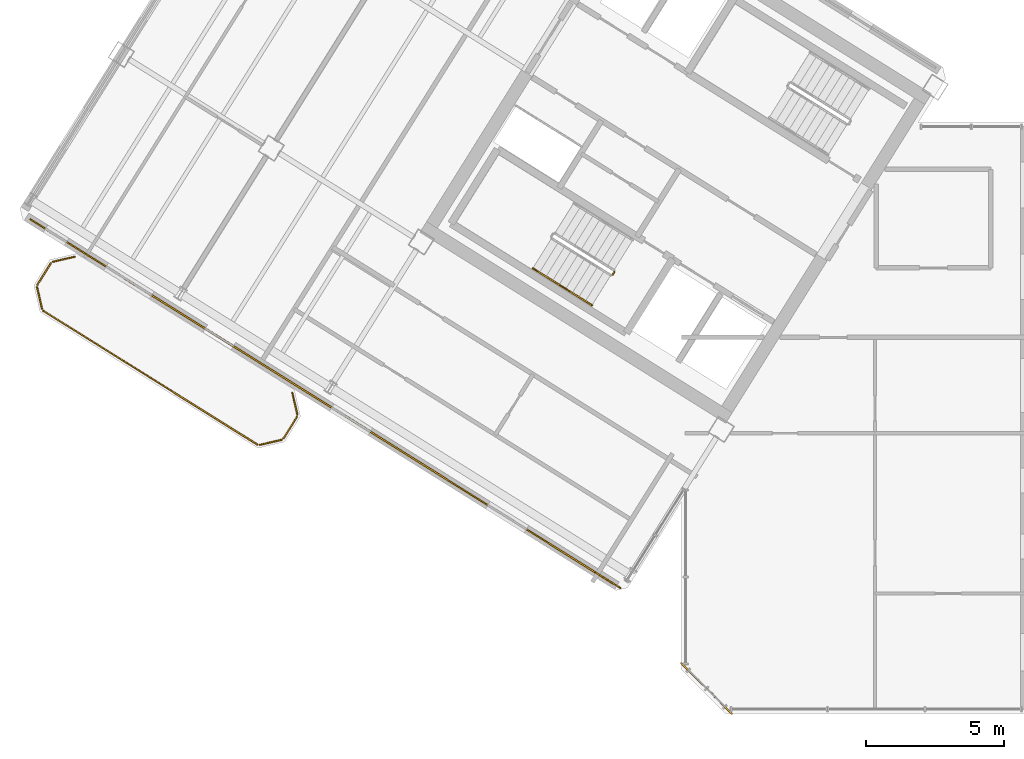
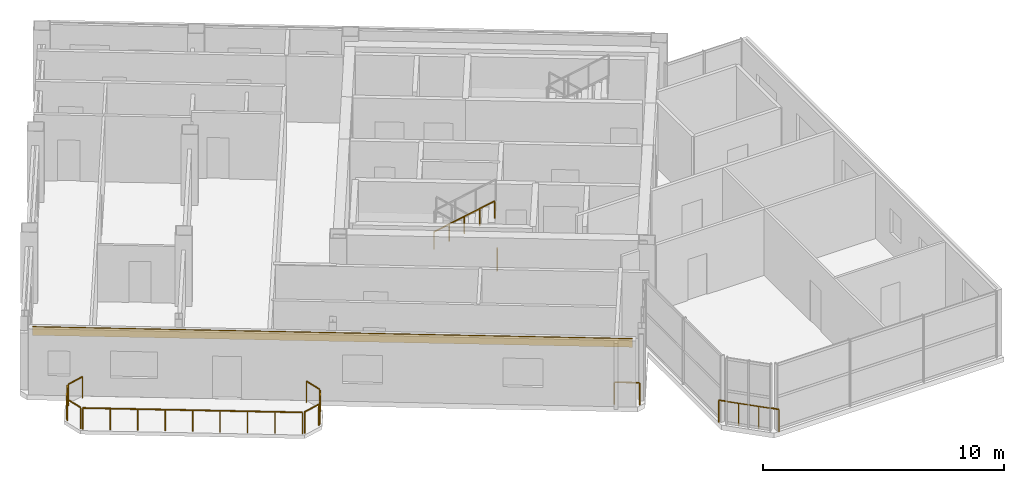
# One storey, part 11 of 14: 12 railings, 1 covering.
"""IFC4 building model written with IfcOpenShell, lengths in metres."""

from ifc_helpers import new_model, si_unit, direction, frame, origin, origin_2d, place, context, subcontext, project, spatial, rectangle, extrude, source, transform, mapped, material, layer, layer_set, type_object, element, save


model = new_model("IFC4")

# Units and contexts
model_context = context("Model", 3, precision=1e-05, world=origin(), true_north=direction((0.0, 1.0)))
body_context = subcontext(model_context, "Body", "Model", "MODEL_VIEW")
ifc_project = project(units=[si_unit("LENGTHUNIT", "METRE"), si_unit("AREAUNIT", "SQUARE_METRE"), si_unit("VOLUMEUNIT", "CUBIC_METRE"), si_unit("PLANEANGLEUNIT", "RADIAN"), si_unit("MASSUNIT", "GRAM", prefix="KILO")], contexts=[model_context])

# Site, building, storey
site_placement = place(None, origin())
site = spatial("IfcSite", under=ifc_project, at=site_placement, CompositionType="ELEMENT")
building_placement = place(site_placement, origin())
building = spatial("IfcBuilding", under=site, at=building_placement, Name="Tlacorven Tower", CompositionType="ELEMENT")
storey_placement = place(building_placement, frame((0.0, 0.0, 284.39990234375)))
storey = spatial("IfcBuildingStorey", under=building, at=storey_placement, Name="L72", CompositionType="ELEMENT", Elevation=284.39990234375)

# Railings
ifc_material_1 = material(Name="Aluminium and painted steel balustrade", Category="steel")
railing_type_1 = type_object("IfcRailingType", Name="RL-BAL-1100", PredefinedType="BALUSTRADE", material=ifc_material_1)
shared_shape_1 = source(origin(), body_context, "Body", "SweptSolid", [
    extrude(rectangle(XDim=0.048095703125, YDim=0.048095703125, at=origin_2d()), frame((0.0, 0.0, 1.076171875), z_axis=(0.225058334816, -0.974345290916, 0.0), x_axis=(0.974345290916, 0.225058334816, 0.0)), (0.0, 0.0, 1.0), 0.80712890625),
    extrude(rectangle(XDim=0.0419921875, YDim=0.0419921875, at=origin_2d()), origin(), (0.0, 0.0, 1.0), 1.052001953125),
    extrude(rectangle(XDim=0.0419921875, YDim=0.0419921875, at=origin_2d()), frame((0.181640625, -0.786376953125, 0.0)), (0.0, 0.0, 1.0), 1.052001953125),
])
railing_1_placement = place(storey_placement, frame((17.5244140625, 13.413330078125, 0.0)))
element("IfcRailing", 1, at=railing_1_placement, inside=storey, type_object=railing_type_1, Name="BAL-L72-W-OUT Guard Railing 1", PredefinedType="BALUSTRADE", context=body_context, shape_type="MappedRepresentation", body=[
    mapped(shared_shape_1, transform((0.0, 0.0, 0.0), scale=1.0)),
])
shared_shape_2 = source(origin(), body_context, "Body", "SweptSolid", [
    extrude(rectangle(XDim=0.048095703125, YDim=0.048095703125, at=origin_2d()), frame((0.0, 0.0, 1.076171875), z_axis=(-0.52987865805, -0.848073468364, 0.0), x_axis=(0.848073468364, -0.52987865805, 0.0)), (0.0, 0.0, 1.0), 0.912353515625),
    extrude(rectangle(XDim=0.0419921875, YDim=0.0419921875, at=origin_2d()), origin(), (0.0, 0.0, 1.0), 1.052001953125),
    extrude(rectangle(XDim=0.0419921875, YDim=0.0419921875, at=origin_2d()), frame((-0.4833984375, -0.773681640625, 0.0)), (0.0, 0.0, 1.0), 1.052001953125),
])
railing_2_placement = place(storey_placement, frame((17.690673828125, 12.535888671875, 0.0)))
element("IfcRailing", 2, at=railing_2_placement, inside=storey, type_object=railing_type_1, Name="BAL-L72-W-OUT Guard Railing 2", PredefinedType="BALUSTRADE", context=body_context, shape_type="MappedRepresentation", body=[
    mapped(shared_shape_2, transform((0.0, 0.0, 0.0), scale=1.0)),
])
shared_shape_3 = source(origin(), body_context, "Body", "SweptSolid", [
    extrude(rectangle(XDim=0.048095703125, YDim=0.048095703125, at=origin_2d()), frame((0.0, 0.0, 1.076171875), z_axis=(-0.974411586182, -0.224771129628, 0.0), x_axis=(0.224771129628, -0.974411586182, 0.0)), (0.0, 0.0, 1.0), 0.80712890625),
    extrude(rectangle(XDim=0.0419921875, YDim=0.0419921875, at=origin_2d()), origin(), (0.0, 0.0, 1.0), 1.052001953125),
    extrude(rectangle(XDim=0.0419921875, YDim=0.0419921875, at=origin_2d()), frame((-0.786376953125, -0.181396484375, 0.0)), (0.0, 0.0, 1.0), 1.052001953125),
])
railing_3_placement = place(storey_placement, frame((17.132080078125, 11.70849609375, 0.0)))
element("IfcRailing", 3, at=railing_3_placement, inside=storey, type_object=railing_type_1, Name="BAL-L72-W-OUT Guard Railing 3", PredefinedType="BALUSTRADE", context=body_context, shape_type="MappedRepresentation", body=[
    mapped(shared_shape_3, transform((0.0, 0.0, 0.0), scale=1.0)),
])
shared_shape_4 = source(origin(), body_context, "Body", "SweptSolid", [
    extrude(rectangle(XDim=0.048095703125, YDim=0.048095703125, at=origin_2d()), frame((0.0, 0.0, 1.076171875), z_axis=(-0.225058334816, 0.974345290916, 0.0), x_axis=(-0.974345290916, -0.225058334816, 0.0)), (0.0, 0.0, 1.0), 0.80712890625),
    extrude(rectangle(XDim=0.0419921875, YDim=0.0419921875, at=origin_2d()), origin(), (0.0, 0.0, 1.0), 1.052001953125),
    extrude(rectangle(XDim=0.0419921875, YDim=0.0419921875, at=origin_2d()), frame((-0.181640625, 0.786376953125, 0.0)), (0.0, 0.0, 1.0), 1.052001953125),
])
railing_4_placement = place(storey_placement, frame((8.46923828125, 16.448974609375, 0.0)))
element("IfcRailing", 4, at=railing_4_placement, inside=storey, type_object=railing_type_1, Name="BAL-L72-W-OUT Guard Railing 5", PredefinedType="BALUSTRADE", context=body_context, shape_type="MappedRepresentation", body=[
    mapped(shared_shape_4, transform((0.0, 0.0, 0.0), scale=1.0)),
])
railing_type_2 = type_object("IfcRailingType", Name="RL-GRD-1150", PredefinedType="GUARDRAIL", material=ifc_material_1)
shared_shape_5 = source(origin(), body_context, "Body", "SweptSolid", [
    extrude(rectangle(XDim=0.048095703125, YDim=0.048095703125, at=origin_2d()), frame((0.0, 0.0, 1.1259765625), z_axis=(-0.707106781187, 0.707106781187, 0.0), x_axis=(-0.707106781187, -0.707106781187, 0.0)), (0.0, 0.0, 1.0), 2.590087890625),
    extrude(rectangle(XDim=0.0419921875, YDim=0.0419921875, at=origin_2d()), origin(), (0.0, 0.0, 1.0), 1.101806640625),
    extrude(rectangle(XDim=0.0419921875, YDim=0.0419921875, at=origin_2d()), frame((-0.610595703125, 0.610595703125, 0.0)), (0.0, 0.0, 1.0), 1.101806640625),
    extrude(rectangle(XDim=0.0419921875, YDim=0.0419921875, at=origin_2d()), frame((-1.220947265625, 1.220947265625, 0.0)), (0.0, 0.0, 1.0), 1.101806640625),
    extrude(rectangle(XDim=0.0419921875, YDim=0.0419921875, at=origin_2d()), frame((-1.83154296875, 1.83154296875, 0.0)), (0.0, 0.0, 1.0), 1.101806640625),
])
railing_5_placement = place(storey_placement, frame((33.428955078125, 1.79736328125, 0.0)))
element("IfcRailing", 5, at=railing_5_placement, inside=storey, type_object=railing_type_2, Name="L72 Knuckle Glazed Sill Guard 1", PredefinedType="GUARDRAIL", context=body_context, shape_type="MappedRepresentation", body=[
    mapped(shared_shape_5, transform((0.0, 0.0, 0.0), scale=1.0)),
])
shared_shape_6 = source(origin(), body_context, "Body", "SweptSolid", [
    extrude(rectangle(XDim=0.048095703125, YDim=0.048095703125, at=origin_2d()), frame((0.0, 0.0, 1.1259765625), z_axis=(-0.848102774857, 0.529831749973, 0.0), x_axis=(-0.529831749973, -0.848102774857, 0.0)), (0.0, 0.0, 1.0), 1.050048828125),
    extrude(rectangle(XDim=0.0419921875, YDim=0.0419921875, at=origin_2d()), origin(), (0.0, 0.0, 1.0), 1.101806640625),
    extrude(rectangle(XDim=0.0419921875, YDim=0.0419921875, at=origin_2d()), frame((-0.890625, 0.556396484375, 0.0)), (0.0, 0.0, 1.0), 1.101806640625),
])
railing_6_placement = place(storey_placement, frame((29.39501953125, 6.35009765625, 0.0)))
element("IfcRailing", 6, at=railing_6_placement, inside=storey, type_object=railing_type_2, Name="L72 Knuckle Glazed Sill Guard 2", PredefinedType="GUARDRAIL", context=body_context, shape_type="MappedRepresentation", body=[
    mapped(shared_shape_6, transform((0.0, 0.0, 0.0), scale=1.0)),
])
shared_shape_7 = source(origin(), body_context, "Body", "SweptSolid", [
    extrude(rectangle(XDim=0.048095703125, YDim=0.048095703125, at=origin_2d()), frame((0.0, 0.0, 1.076171875), z_axis=(-0.848047945797, 0.529919504859, 0.0), x_axis=(-0.529919504859, -0.848047945797, 0.0)), (0.0, 0.0, 1.0), 9.116943359375),
    extrude(rectangle(XDim=0.0419921875, YDim=0.0419921875, at=origin_2d()), origin(), (0.0, 0.0, 1.0), 1.052001953125),
    extrude(rectangle(XDim=0.0419921875, YDim=0.0419921875, at=origin_2d()), frame((-0.966552734375, 0.60400390625, 0.0)), (0.0, 0.0, 1.0), 1.052001953125),
    extrude(rectangle(XDim=0.0419921875, YDim=0.0419921875, at=origin_2d()), frame((-1.932861328125, 1.207763671875, 0.0)), (0.0, 0.0, 1.0), 1.052001953125),
    extrude(rectangle(XDim=0.0419921875, YDim=0.0419921875, at=origin_2d()), frame((-2.8994140625, 1.811767578125, 0.0)), (0.0, 0.0, 1.0), 1.052001953125),
    extrude(rectangle(XDim=0.0419921875, YDim=0.0419921875, at=origin_2d()), frame((-3.86572265625, 2.41552734375, 0.0)), (0.0, 0.0, 1.0), 1.052001953125),
    extrude(rectangle(XDim=0.0419921875, YDim=0.0419921875, at=origin_2d()), frame((-4.832275390625, 3.01953125, 0.0)), (0.0, 0.0, 1.0), 1.052001953125),
    extrude(rectangle(XDim=0.0419921875, YDim=0.0419921875, at=origin_2d()), frame((-5.798828125, 3.62353515625, 0.0)), (0.0, 0.0, 1.0), 1.052001953125),
    extrude(rectangle(XDim=0.0419921875, YDim=0.0419921875, at=origin_2d()), frame((-6.76513671875, 4.227294921875, 0.0)), (0.0, 0.0, 1.0), 1.052001953125),
    extrude(rectangle(XDim=0.0419921875, YDim=0.0419921875, at=origin_2d()), frame((-7.731689453125, 4.831298828125, 0.0)), (0.0, 0.0, 1.0), 1.052001953125),
])
railing_7_placement = place(storey_placement, frame((16.254638671875, 11.542236328125, 0.0)))
element("IfcRailing", 7, at=railing_7_placement, inside=storey, type_object=railing_type_1, Name="BAL-L72-W-OUT Guard Railing 4", PredefinedType="BALUSTRADE", context=body_context, shape_type="MappedRepresentation", body=[
    mapped(shared_shape_7, transform((0.0, 0.0, 0.0), scale=1.0)),
])
shared_shape_8 = source(origin(), body_context, "Body", "SweptSolid", [
    extrude(rectangle(XDim=0.048095703125, YDim=0.048095703125, at=origin_2d()), frame((0.0, 0.0, 1.076171875), z_axis=(0.529806412759, 0.848118603144, 0.0), x_axis=(-0.848118603144, 0.529806412759, 0.0)), (0.0, 0.0, 1.0), 0.911865234375),
    extrude(rectangle(XDim=0.0419921875, YDim=0.0419921875, at=origin_2d()), origin(), (0.0, 0.0, 1.0), 1.052001953125),
    extrude(rectangle(XDim=0.0419921875, YDim=0.0419921875, at=origin_2d()), frame((0.483154296875, 0.7734375, 0.0)), (0.0, 0.0, 1.0), 1.052001953125),
])
railing_8_placement = place(storey_placement, frame((8.302978515625, 17.326416015625, 0.0)))
element("IfcRailing", 8, at=railing_8_placement, inside=storey, type_object=railing_type_1, Name="BAL-L72-W-OUT Guard Railing 6", PredefinedType="BALUSTRADE", context=body_context, shape_type="MappedRepresentation", body=[
    mapped(shared_shape_8, transform((0.0, 0.0, 0.0), scale=1.0)),
])
shared_shape_9 = source(origin(), body_context, "Body", "SweptSolid", [
    extrude(rectangle(XDim=0.048095703125, YDim=0.048095703125, at=origin_2d()), frame((0.0, 0.0, 1.076171875), z_axis=(0.974360606036, 0.224992020761, 0.0), x_axis=(-0.224992020761, 0.974360606036, 0.0)), (0.0, 0.0, 1.0), 0.807373046875),
    extrude(rectangle(XDim=0.0419921875, YDim=0.0419921875, at=origin_2d()), origin(), (0.0, 0.0, 1.0), 1.052001953125),
    extrude(rectangle(XDim=0.0419921875, YDim=0.0419921875, at=origin_2d()), frame((0.78662109375, 0.181640625, 0.0)), (0.0, 0.0, 1.0), 1.052001953125),
])
railing_9_placement = place(storey_placement, frame((8.861328125, 18.153564453125, 0.0)))
element("IfcRailing", 9, at=railing_9_placement, inside=storey, type_object=railing_type_1, Name="BAL-L72-W-OUT Guard Railing 7", PredefinedType="BALUSTRADE", context=body_context, shape_type="MappedRepresentation", body=[
    mapped(shared_shape_9, transform((0.0, 0.0, 0.0), scale=1.0)),
])

# Covering
ifc_material_2 = material(Name="Precast concrete C45/55", Category="concrete")
ifc_layer = layer(ifc_material_2, 0.06005859375)
ifc_layer_set = layer_set([ifc_layer], Name="Precast concrete C45/55")
covering_type = type_object("IfcCoveringType", Name="CV-CLD-TERC", PredefinedType="CLADDING", material=ifc_layer_set)
shared_shape_10 = source(origin(), body_context, "Body", "SweptSolid", [
    extrude(rectangle(XDim=24.887451171875, YDim=0.06005859375, at=origin_2d()), origin(), (0.0, 0.0, 1.0), 0.419921875),
])
covering_placement = place(storey_placement, frame((18.587646484375, 13.10302734375, 2.93017578125), z_axis=(0.0, 0.0, 1.0), x_axis=(-0.848048045547, 0.529919345226, 0.0)))
element("IfcCovering", 10, at=covering_placement, inside=storey, type_object=covering_type, Name="L72 Masonry-Frame Spandrel Cladding 2", PredefinedType="CLADDING", context=body_context, shape_type="MappedRepresentation", body=[
    mapped(shared_shape_10, transform((0.0, 0.0, 0.0), scale=1.0)),
])

# Railings
railing_type_3 = type_object("IfcRailingType", Name="RL-GRD-1100", PredefinedType="GUARDRAIL", material=ifc_material_1)
shared_shape_11 = source(origin(), body_context, "Body", "SweptSolid", [
    extrude(rectangle(XDim=0.048095703125, YDim=0.048095703125, at=origin_2d()), frame((0.0, 0.0, 1.076171875), z_axis=(-0.529084052582, -0.848569422795, 0.0), x_axis=(0.848569422795, -0.529084052582, 0.0)), (0.0, 0.0, 1.0), 0.119873046875),
    extrude(rectangle(XDim=0.0419921875, YDim=0.0419921875, at=origin_2d()), origin(), (0.0, 0.0, 1.0), 1.052001953125),
    extrude(rectangle(XDim=0.0419921875, YDim=0.0419921875, at=origin_2d()), frame((-0.0634765625, -0.101806640625, 0.0)), (0.0, 0.0, 1.0), 1.052001953125),
])
railing_10_placement = place(storey_placement, frame((29.176513671875, 17.782958984375, 0.0)))
element("IfcRailing", 11, at=railing_10_placement, inside=storey, type_object=railing_type_3, Name="L72 ST-W1 stair guard 4", PredefinedType="GUARDRAIL", context=body_context, shape_type="MappedRepresentation", body=[
    mapped(shared_shape_11, transform((0.0, 0.0, 0.0), scale=1.0)),
])
railing_type_4 = type_object("IfcRailingType", Name="RL-HND-0900", PredefinedType="HANDRAIL", material=ifc_material_1)
shared_shape_12 = source(origin(), body_context, "Body", "SweptSolid", [
    extrude(rectangle(XDim=0.048095703125, YDim=0.048095703125, at=origin_2d()), frame((0.0, 0.0, 0.8759765625), z_axis=(0.713359751793, -0.4457479829, 0.540764828981), x_axis=(0.529911857636, 0.848052724267, 0.0)), (0.0, 0.0, 1.0), 1.498046875),
    extrude(rectangle(XDim=0.0419921875, YDim=0.0419921875, at=origin_2d()), origin(), (0.0, 0.0, 1.0), 0.851806640625),
    extrude(rectangle(XDim=0.0419921875, YDim=0.0419921875, at=origin_2d()), frame((0.5341796875, -0.333984375, 0.405029296875)), (0.0, 0.0, 1.0), 0.851806640625),
    extrude(rectangle(XDim=0.0419921875, YDim=0.0419921875, at=origin_2d()), frame((1.068603515625, -0.667724609375, 0.81005859375)), (0.0, 0.0, 1.0), 0.851806640625),
])
railing_11_placement = place(storey_placement, frame((26.228759765625, 17.915283203125, 1.97998046875)))
element("IfcRailing", 12, at=railing_11_placement, inside=storey, type_object=railing_type_4, Name="L72 ST-W1 stair handrail 3", PredefinedType="HANDRAIL", context=body_context, shape_type="MappedRepresentation", body=[
    mapped(shared_shape_12, transform((0.0, 0.0, 0.0), scale=1.0)),
])
shared_shape_13 = source(origin(), body_context, "Body", "SweptSolid", [
    extrude(rectangle(XDim=0.048095703125, YDim=0.048095703125, at=origin_2d()), frame((0.0, 0.0, 0.8759765625), z_axis=(0.713279695859, -0.445799809912, 0.540827703579), x_axis=(0.529998940003, 0.847998304005, 0.0)), (0.0, 0.0, 1.0), 1.497802734375),
    extrude(rectangle(XDim=0.0419921875, YDim=0.0419921875, at=origin_2d()), origin(), (0.0, 0.0, 1.0), 0.851806640625),
    extrude(rectangle(XDim=0.0419921875, YDim=0.0419921875, at=origin_2d()), frame((0.5341796875, -0.333984375, 0.405029296875)), (0.0, 0.0, 1.0), 0.851806640625),
    extrude(rectangle(XDim=0.0419921875, YDim=0.0419921875, at=origin_2d()), frame((1.068359375, -0.667724609375, 0.81005859375)), (0.0, 0.0, 1.0), 0.851806640625),
])
railing_12_placement = place(storey_placement, frame((27.29736328125, 17.24755859375, 2.7900390625)))
element("IfcRailing", 13, at=railing_12_placement, inside=storey, type_object=railing_type_4, Name="L72 ST-W1 stair handrail 4", PredefinedType="HANDRAIL", context=body_context, shape_type="MappedRepresentation", body=[
    mapped(shared_shape_13, transform((0.0, 0.0, 0.0), scale=1.0)),
])

save(model, "model.ifc")
